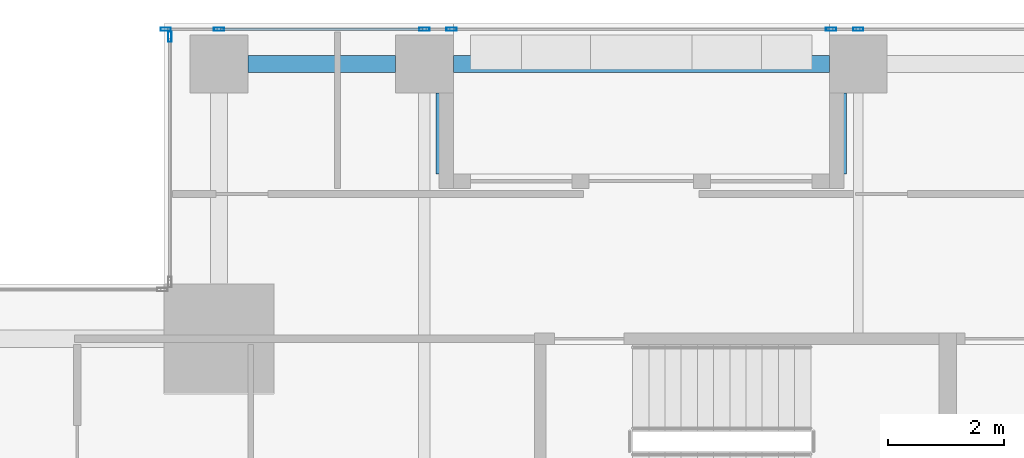
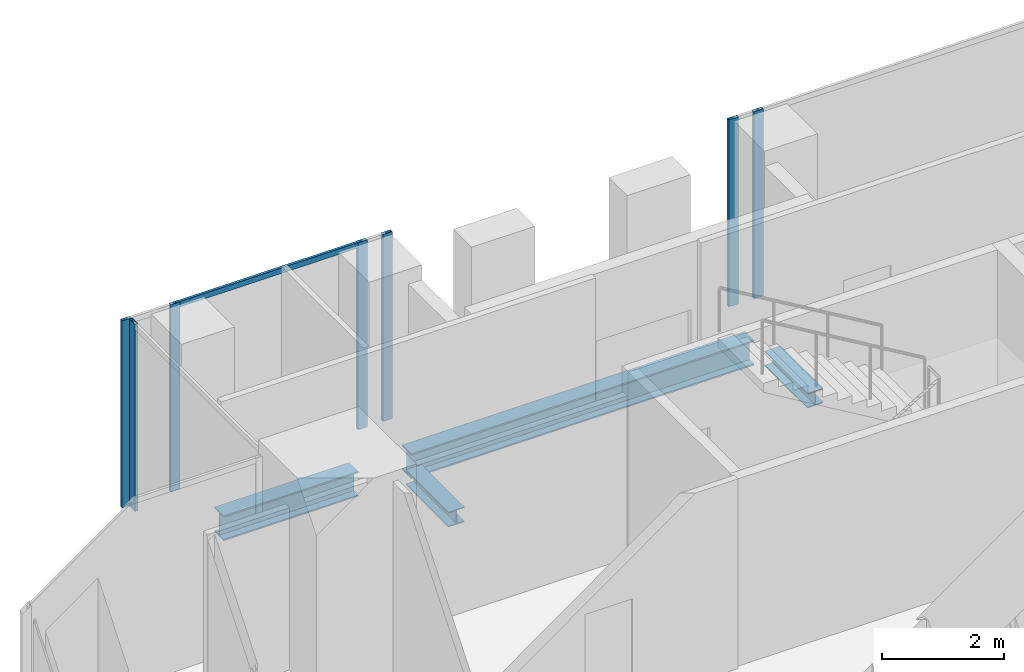
# One storey, part 22 of 40: 8 members, 4 beams, 3 elements without a shape of their own.
"""IFC4 building model written with IfcOpenShell, lengths in metres."""

from ifc_helpers import new_model, si_unit, direction, frame, origin, origin_2d, place, context, subcontext, project, spatial, hollow_rectangle, i_section, extrude, source, transform, mapped, material, material_profile, profile_set, type_object, element, aggregate, save


model = new_model("IFC4")

# Units and contexts
model_context = context("Model", 3, precision=1e-05, world=origin(), true_north=direction((0.0, 1.0)))
body_context = subcontext(model_context, "Body", "Model", "MODEL_VIEW")
ifc_project = project(units=[si_unit("LENGTHUNIT", "METRE"), si_unit("AREAUNIT", "SQUARE_METRE"), si_unit("VOLUMEUNIT", "CUBIC_METRE"), si_unit("PLANEANGLEUNIT", "RADIAN"), si_unit("MASSUNIT", "GRAM", prefix="KILO")], contexts=[model_context])

# Site, building, storey
site_placement = place(None, origin())
site = spatial("IfcSite", under=ifc_project, at=site_placement, CompositionType="ELEMENT")
building_placement = place(site_placement, origin())
building = spatial("IfcBuilding", under=site, at=building_placement, Name="Khomas Fold Tower", CompositionType="ELEMENT")
storey_placement = place(building_placement, frame((0.0, 0.0, 180.699951171875)))
storey = spatial("IfcBuildingStorey", under=building, at=storey_placement, Name="L39", CompositionType="ELEMENT", Elevation=180.699951171875)

# Beams
ifc_material_1 = material(Name="Steel S355", Category="steel")
ifc_material_profile_1 = material_profile(ifc_material_1, i_section(OverallWidth=0.300048828125, OverallDepth=0.5, WebThickness=0.014404296875, FlangeThickness=0.028076171875, at=origin_2d()), Name="HE 500 B")
ifc_profile_set_1 = profile_set([ifc_material_profile_1], Name="Steel S355")
beam_type_1 = type_object("IfcBeamType", Name="HE 500 B spandrel SB3", PredefinedType="SPANDREL", material=ifc_profile_set_1)
shared_shape_1 = source(origin(), body_context, "Body", "SweptSolid", [
    extrude(i_section(OverallWidth=0.300048828125, OverallDepth=0.5, WebThickness=0.014404296875, FlangeThickness=0.028076171875, at=origin_2d()), origin(), (0.0, 0.0, 1.0), 2.550048828125),
])
beam_1_placement = place(storey_placement, frame((8.949951171875, 50.300048828125, -0.5), z_axis=(1.0, 0.0, 0.0), x_axis=(0.0, 1.0, 0.0)))
element("IfcBeam", 1, at=beam_1_placement, inside=storey, type_object=beam_type_1, Name="SB3", PredefinedType="SPANDREL", context=body_context, shape_type="MappedRepresentation", body=[
    mapped(shared_shape_1, transform((0.0, 0.0, 0.0))),
])
shared_shape_2 = source(origin(), body_context, "Body", "SweptSolid", [
    extrude(i_section(OverallWidth=0.300048828125, OverallDepth=0.5, WebThickness=0.014404296875, FlangeThickness=0.028076171875, at=origin_2d()), origin(), (0.0, 0.0, 1.0), 6.5),
])
beam_2_placement = place(storey_placement, frame((12.5, 50.300048828125, -0.5), z_axis=(1.0, 0.0, 0.0), x_axis=(0.0, 1.0, 0.0)))
element("IfcBeam", 2, at=beam_2_placement, inside=storey, type_object=beam_type_1, Name="SB3", PredefinedType="SPANDREL", context=body_context, shape_type="MappedRepresentation", body=[
    mapped(shared_shape_2, transform((0.0, 0.0, 0.0))),
])
ifc_material_2 = material(Name="Steel S355", Category="steel")
ifc_material_profile_2 = material_profile(ifc_material_2, i_section(OverallWidth=0.300048828125, OverallDepth=0.300048828125, WebThickness=0.010986328125, FlangeThickness=0.01904296875, at=origin_2d()), Name="HE 300 B")
ifc_profile_set_2 = profile_set([ifc_material_profile_2], Name="Steel S355")
beam_type_2 = type_object("IfcBeamType", Name="HE 300 B beam BB1", PredefinedType="BEAM", material=ifc_profile_set_2)
shared_shape_3 = source(origin(), body_context, "Body", "SweptSolid", [
    extrude(i_section(OverallWidth=0.300048828125, OverallDepth=0.300048828125, WebThickness=0.010986328125, FlangeThickness=0.01904296875, at=origin_2d()), origin(), (0.0, 0.0, 1.0), 1.400146484375),
])
for number, where, z_axis, x_axis, name in (
    (3, (12.35009765625, 48.39990234375, -0.39990234375), (0.0, 1.0, 0.0), (-1.0, 0.0, 0.0), "BB1"),
    (4, (19.14990234375, 48.39990234375, -0.39990234375), (0.0, 1.0, 0.0), (-1.0, 0.0, 0.0), "BB1"),
):
    element("IfcBeam", number, at=place(storey_placement, frame(where, z_axis=z_axis, x_axis=x_axis)), inside=storey, type_object=beam_type_2, Name=name, PredefinedType="BEAM", context=body_context, shape_type="MappedRepresentation", body=[
        mapped(shared_shape_3, transform((0.0, 0.0, 0.0))),
    ])

# Curtain wall, members
ifc_material_3 = material(Name="Aluminium framed double glazing", Category="aluminium")
curtain_wall_type = type_object("IfcCurtainWallType", Name="SK-Unitised clear-glass wall, office floors CW2", PredefinedType="NOTDEFINED", material=ifc_material_3)
curtain_wall_1_placement = place(storey_placement, origin())
curtain_wall_1 = element("IfcCurtainWall", 5, at=curtain_wall_1_placement, inside=storey, type_object=curtain_wall_type, Name="CW2 run L39 15-0", PredefinedType="NOTDEFINED")
ifc_material_4 = material(Name="Aluminium", Category="aluminium")
ifc_material_profile_3 = material_profile(ifc_material_4, hollow_rectangle(XDim=0.06005859375, YDim=0.179931640625, WallThickness=0.00390625, at=origin_2d()), Name="SK-Unitised clear-glass wall, office floors mullion CW2-M")
ifc_profile_set_3 = profile_set([ifc_material_profile_3], Name="Aluminium")
member_type_1 = type_object("IfcMemberType", Name="SK-Unitised clear-glass wall, office floors mullion CW2-M", PredefinedType="MULLION", material=ifc_profile_set_3)
shared_shape_4 = source(origin(), body_context, "Body", "SweptSolid", [
    extrude(hollow_rectangle(XDim=0.06005859375, YDim=0.179931640625, WallThickness=0.00390625, at=origin_2d()), origin(), (0.0, 0.0, 1.0), 3.75),
])
member_1_placement = place(storey_placement, frame((19.5, 50.89990234375, 0.0), z_axis=(0.0, 0.0, 1.0), x_axis=(0.0, -1.0, 0.0)))
member_1 = element("IfcMember", 6, at=member_1_placement, type_object=member_type_1, Name="CW2 mullion 3", PredefinedType="MULLION", context=body_context, shape_type="MappedRepresentation", body=[
    mapped(shared_shape_4, transform((0.0, 0.0, 0.0))),
])
member_2_placement = place(storey_placement, frame((19.030029296875, 50.89990234375, 0.0), z_axis=(0.0, 0.0, 1.0), x_axis=(0.0, -1.0, 0.0)))
member_2 = element("IfcMember", 7, at=member_2_placement, type_object=member_type_1, Name="CW2 mullion 4", PredefinedType="MULLION", context=body_context, shape_type="MappedRepresentation", body=[
    mapped(shared_shape_4, transform((0.0, 0.0, 0.0))),
])
aggregate(curtain_wall_1, [member_1, member_2])

curtain_wall_2_placement = place(storey_placement, origin())
curtain_wall_2 = element("IfcCurtainWall", 8, at=curtain_wall_2_placement, inside=storey, type_object=curtain_wall_type, Name="CW2 run L39 15-1", PredefinedType="NOTDEFINED")
member_3_placement = place(storey_placement, frame((12.469970703125, 50.89990234375, 0.0), z_axis=(0.0, 0.0, 1.0), x_axis=(0.0, -1.0, 0.0)))
member_3 = element("IfcMember", 9, at=member_3_placement, type_object=member_type_1, Name="CW2 mullion 1", PredefinedType="MULLION", context=body_context, shape_type="MappedRepresentation", body=[
    mapped(shared_shape_4, transform((0.0, 0.0, 0.0))),
])
member_4_placement = place(storey_placement, frame((12.0, 50.89990234375, 0.0), z_axis=(0.0, 0.0, 1.0), x_axis=(0.0, -1.0, 0.0)))
member_4 = element("IfcMember", 10, at=member_4_placement, type_object=member_type_1, Name="CW2 mullion 2", PredefinedType="MULLION", context=body_context, shape_type="MappedRepresentation", body=[
    mapped(shared_shape_4, transform((0.0, 0.0, 0.0))),
])
member_5_placement = place(storey_placement, frame((8.449951171875, 50.89990234375, 0.0), z_axis=(0.0, 0.0, 1.0), x_axis=(0.0, -1.0, 0.0)))
member_5 = element("IfcMember", 11, at=member_5_placement, type_object=member_type_1, Name="CW2 mullion 3", PredefinedType="MULLION", context=body_context, shape_type="MappedRepresentation", body=[
    mapped(shared_shape_4, transform((0.0, 0.0, 0.0))),
])
member_6_placement = place(storey_placement, frame((7.530029296875, 50.89990234375, 0.0), z_axis=(0.0, 0.0, 1.0), x_axis=(0.0, -1.0, 0.0)))
member_6 = element("IfcMember", 12, at=member_6_placement, type_object=member_type_1, Name="CW2 mullion 4", PredefinedType="MULLION", context=body_context, shape_type="MappedRepresentation", body=[
    mapped(shared_shape_4, transform((0.0, 0.0, 0.0))),
])

# Curtain wall, member
curtain_wall_3_placement = place(storey_placement, origin())
curtain_wall_3 = element("IfcCurtainWall", 13, at=curtain_wall_3_placement, inside=storey, type_object=curtain_wall_type, Name="CW2 corner return L39 16", PredefinedType="NOTDEFINED")
member_7_placement = place(storey_placement, frame((7.60009765625, 50.77001953125, 0.0), z_axis=(0.0, 0.0, 1.0), x_axis=(1.0, 0.0, 0.0)))
member_7 = element("IfcMember", 14, at=member_7_placement, type_object=member_type_1, Name="CW2 mullion 1", PredefinedType="MULLION", context=body_context, shape_type="MappedRepresentation", body=[
    mapped(shared_shape_4, transform((0.0, 0.0, 0.0))),
])
aggregate(curtain_wall_3, [member_7])

# Member
ifc_material_5 = material(Name="Aluminium", Category="aluminium")
ifc_material_profile_4 = material_profile(ifc_material_5, hollow_rectangle(XDim=0.050048828125, YDim=0.110107421875, WallThickness=0.00390625, at=origin_2d()), Name="SK-Unitised clear-glass wall, office floors transom CW2-T")
ifc_profile_set_4 = profile_set([ifc_material_profile_4], Name="Aluminium")
member_type_2 = type_object("IfcMemberType", Name="SK-Unitised clear-glass wall, office floors transom CW2-T", PredefinedType="USERDEFINED", material=ifc_profile_set_4)
shared_shape_5 = source(origin(), body_context, "Body", "SweptSolid", [
    extrude(hollow_rectangle(XDim=0.050048828125, YDim=0.110107421875, WallThickness=0.00390625, at=origin_2d()), origin(), (0.0, 0.0, 1.0), 3.489990234375),
])
member_8_placement = place(storey_placement, frame((11.969970703125, 50.89990234375, 3.695068359375), z_axis=(-1.0, 0.0, 0.0), x_axis=(0.0, -1.0, 0.0)))
member_8 = element("IfcMember", 15, at=member_8_placement, type_object=member_type_2, Name="CW2 transom 2", ObjectType="TRANSOM", PredefinedType="USERDEFINED", context=body_context, shape_type="MappedRepresentation", body=[
    mapped(shared_shape_5, transform((0.0, 0.0, 0.0))),
])

aggregate(curtain_wall_2, [member_3, member_4, member_5, member_6, member_8])

save(model, "model.ifc")
